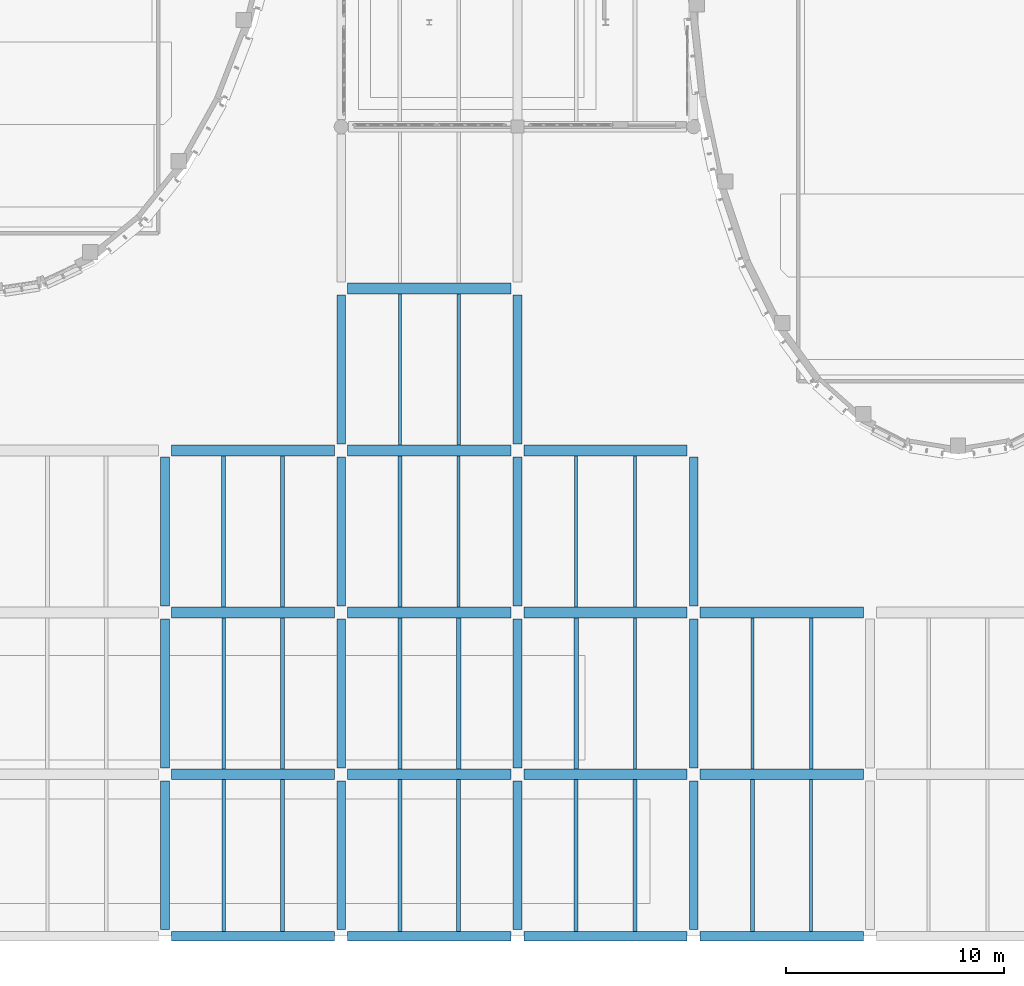
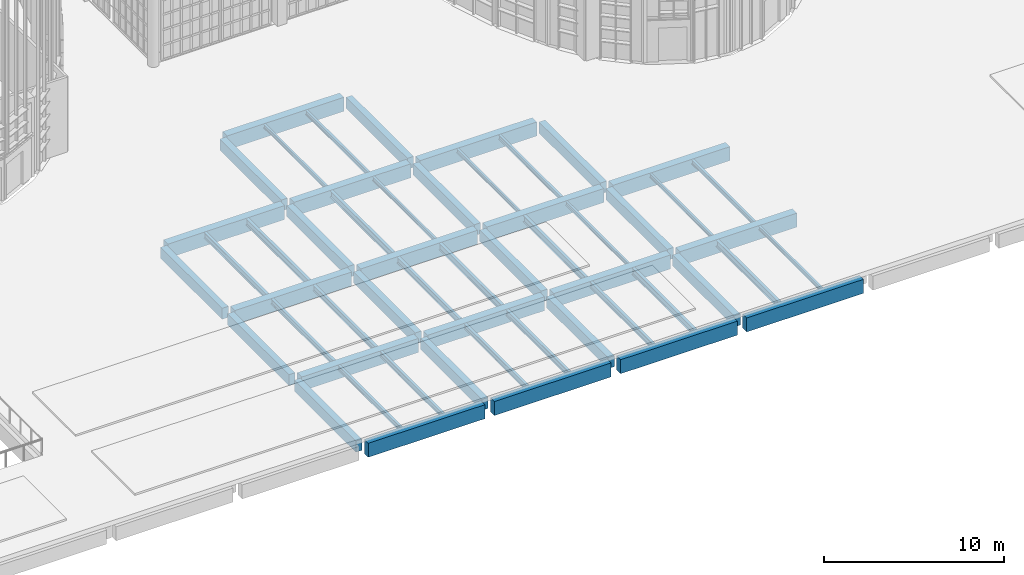
# One storey, part 152 of 372: 54 beams.
"""IFC4 building model written with IfcOpenShell, lengths in metres."""

from ifc_helpers import new_model, si_unit, direction, frame, origin, origin_2d, place, context, subcontext, project, spatial, rectangle, i_section, extrude, material, material_profile, profile_set, type_object, element, save


model = new_model("IFC4")

# Units and contexts
model_context = context("Model", 3, precision=1e-05, world=origin(), true_north=direction((0.0, 1.0)))
body_context = subcontext(model_context, "Body", "Model", "MODEL_VIEW")
ifc_project = project(units=[si_unit("LENGTHUNIT", "METRE"), si_unit("AREAUNIT", "SQUARE_METRE"), si_unit("VOLUMEUNIT", "CUBIC_METRE"), si_unit("PLANEANGLEUNIT", "RADIAN"), si_unit("MASSUNIT", "GRAM", prefix="KILO")], contexts=[model_context])

# Site, building, storey
site_placement = place(None, origin())
site = spatial("IfcSite", under=ifc_project, at=site_placement, CompositionType="ELEMENT")
building_placement = place(site_placement, origin())
building = spatial("IfcBuilding", under=site, at=building_placement, Name="Kaelora Sail Theatre", CompositionType="ELEMENT")
storey_placement = place(building_placement, origin())
storey = spatial("IfcBuildingStorey", under=building, at=storey_placement, Name="L00", CompositionType="ELEMENT", Elevation=0.0)

# Beams
ifc_material_1 = material(Name="Steel S355", Category="steel")
ifc_material_profile_1 = material_profile(ifc_material_1, i_section(OverallWidth=0.18994140625, OverallDepth=0.449951171875, WebThickness=0.009521484375, FlangeThickness=0.0146484375, FilletRadius=0.02099609375, at=origin_2d()), Name="IPE 450")
ifc_profile_set_1 = profile_set([ifc_material_profile_1], Name="Steel S355")
beam_type_1 = type_object("IfcBeamType", Name="STR-BM-BM-IPE450", PredefinedType="BEAM", material=ifc_profile_set_1)
beam_1_placement = place(storey_placement, frame((104.10009765625, 16.6298828125, -0.544921875), z_axis=(0.0, 1.0, 0.0), x_axis=(-1.0, 0.0, 0.0)))
element("IfcBeam", 1, at=beam_1_placement, inside=storey, type_object=beam_type_1, Name="Secondary floor joist 13/C-2 (L00)", PredefinedType="BEAM", context=body_context, shape_type="SweptSolid", body=[
    extrude(i_section(OverallWidth=0.18994140625, OverallDepth=0.449951171875, WebThickness=0.009521484375, FlangeThickness=0.0146484375, FilletRadius=0.02099609375, at=origin_2d()), origin(), (0.0, 0.0, 1.0), 6.940185546875),
])
beam_2_placement = place(storey_placement, frame((112.199951171875, 9.18994140625, -0.544921875), z_axis=(0.0, 1.0, 0.0), x_axis=(-1.0, 0.0, 0.0)))
element("IfcBeam", 2, at=beam_2_placement, inside=storey, type_object=beam_type_1, Name="Secondary floor joist 14/B-2 (L00)", PredefinedType="BEAM", context=body_context, shape_type="SweptSolid", body=[
    extrude(i_section(OverallWidth=0.18994140625, OverallDepth=0.449951171875, WebThickness=0.009521484375, FlangeThickness=0.0146484375, FilletRadius=0.02099609375, at=origin_2d()), origin(), (0.0, 0.0, 1.0), 6.93994140625),
])
beam_3_placement = place(storey_placement, frame((109.5, 16.6298828125, -0.544921875), z_axis=(0.0, 1.0, 0.0), x_axis=(-1.0, 0.0, 0.0)))
element("IfcBeam", 3, at=beam_3_placement, inside=storey, type_object=beam_type_1, Name="Secondary floor joist 14/C-1 (L00)", PredefinedType="BEAM", context=body_context, shape_type="SweptSolid", body=[
    extrude(i_section(OverallWidth=0.18994140625, OverallDepth=0.449951171875, WebThickness=0.009521484375, FlangeThickness=0.0146484375, FilletRadius=0.02099609375, at=origin_2d()), origin(), (0.0, 0.0, 1.0), 6.940185546875),
])
beam_4_placement = place(storey_placement, frame((120.300048828125, 1.72509765625, -0.544921875), z_axis=(0.0, 1.0, 0.0), x_axis=(-1.0, 0.0, 0.0)))
element("IfcBeam", 4, at=beam_4_placement, inside=storey, type_object=beam_type_1, Name="Secondary floor joist 15/A-2 (L00)", PredefinedType="BEAM", context=body_context, shape_type="SweptSolid", body=[
    extrude(i_section(OverallWidth=0.18994140625, OverallDepth=0.449951171875, WebThickness=0.009521484375, FlangeThickness=0.0146484375, FilletRadius=0.02099609375, at=origin_2d()), origin(), (0.0, 0.0, 1.0), 6.96484375),
])
beam_5_placement = place(storey_placement, frame((117.60009765625, 9.18994140625, -0.544921875), z_axis=(0.0, 1.0, 0.0), x_axis=(-1.0, 0.0, 0.0)))
element("IfcBeam", 5, at=beam_5_placement, inside=storey, type_object=beam_type_1, Name="Secondary floor joist 15/B-1 (L00)", PredefinedType="BEAM", context=body_context, shape_type="SweptSolid", body=[
    extrude(i_section(OverallWidth=0.18994140625, OverallDepth=0.449951171875, WebThickness=0.009521484375, FlangeThickness=0.0146484375, FilletRadius=0.02099609375, at=origin_2d()), origin(), (0.0, 0.0, 1.0), 6.93994140625),
])
beam_6_placement = place(storey_placement, frame((125.699951171875, 1.72509765625, -0.544921875), z_axis=(0.0, 1.0, 0.0), x_axis=(-1.0, 0.0, 0.0)))
element("IfcBeam", 6, at=beam_6_placement, inside=storey, type_object=beam_type_1, Name="Secondary floor joist 16/A-1 (L00)", PredefinedType="BEAM", context=body_context, shape_type="SweptSolid", body=[
    extrude(i_section(OverallWidth=0.18994140625, OverallDepth=0.449951171875, WebThickness=0.009521484375, FlangeThickness=0.0146484375, FilletRadius=0.02099609375, at=origin_2d()), origin(), (0.0, 0.0, 1.0), 6.96484375),
])
ifc_material_2 = material(Name="Concrete C40/50", Category="concrete")
ifc_material_profile_2 = material_profile(ifc_material_2, rectangle(XDim=0.39990234375, YDim=0.75, at=origin_2d()), Name="RC-BM 400x750")
ifc_profile_set_2 = profile_set([ifc_material_profile_2], Name="Concrete C40/50")
beam_type_2 = type_object("IfcBeamType", Name="STR-BM-BM-RC4075", PredefinedType="BEAM", material=ifc_profile_set_2)
beam_7_placement = place(storey_placement, frame((98.699951171875, 1.800048828125, -0.695068359375), z_axis=(0.0, 1.0, 0.0), x_axis=(-1.0, 0.0, 0.0)))
element("IfcBeam", 7, at=beam_7_placement, inside=storey, type_object=beam_type_2, Name="Primary beam 13 A-B (L00)", PredefinedType="BEAM", context=body_context, shape_type="SweptSolid", body=[
    extrude(rectangle(XDim=0.39990234375, YDim=0.75, at=origin_2d()), origin(), (0.0, 0.0, 1.0), 6.83984375),
])
for number, where, z_axis, x_axis, name in (
    (8, (98.699951171875, 9.239990234375, -0.695068359375), (0.0, 1.0, 0.0), (-1.0, 0.0, 0.0), "Primary beam 13 B-C (L00)"),
    (9, (98.699951171875, 16.679931640625, -0.695068359375), (0.0, 1.0, 0.0), (-1.0, 0.0, 0.0), "Primary beam 13 C-D (L00)"),
):
    element("IfcBeam", number, at=place(storey_placement, frame(where, z_axis=z_axis, x_axis=x_axis)), inside=storey, type_object=beam_type_2, Name=name, PredefinedType="BEAM", context=body_context, shape_type="SweptSolid", body=[
        extrude(rectangle(XDim=0.39990234375, YDim=0.75, at=origin_2d()), origin(), (0.0, 0.0, 1.0), 6.840087890625),
    ])
beam_8_placement = place(storey_placement, frame((106.800048828125, 1.800048828125, -0.695068359375), z_axis=(0.0, 1.0, 0.0), x_axis=(-1.0, 0.0, 0.0)))
element("IfcBeam", 10, at=beam_8_placement, inside=storey, type_object=beam_type_2, Name="Primary beam 14 A-B (L00)", PredefinedType="BEAM", context=body_context, shape_type="SweptSolid", body=[
    extrude(rectangle(XDim=0.39990234375, YDim=0.75, at=origin_2d()), origin(), (0.0, 0.0, 1.0), 6.83984375),
])
for number, where, z_axis, x_axis, name in (
    (11, (106.800048828125, 9.239990234375, -0.695068359375), (0.0, 1.0, 0.0), (-1.0, 0.0, 0.0), "Primary beam 14 B-C (L00)"),
    (12, (106.800048828125, 16.679931640625, -0.695068359375), (0.0, 1.0, 0.0), (-1.0, 0.0, 0.0), "Primary beam 14 C-D (L00)"),
):
    element("IfcBeam", number, at=place(storey_placement, frame(where, z_axis=z_axis, x_axis=x_axis)), inside=storey, type_object=beam_type_2, Name=name, PredefinedType="BEAM", context=body_context, shape_type="SweptSolid", body=[
        extrude(rectangle(XDim=0.39990234375, YDim=0.75, at=origin_2d()), origin(), (0.0, 0.0, 1.0), 6.840087890625),
    ])
for number, where, z_axis, x_axis, name in (
    (13, (106.800048828125, 24.1201171875, -0.695068359375), (0.0, 1.0, 0.0), (-1.0, 0.0, 0.0), "Primary beam 14 D-E (L00)"),
    (14, (114.89990234375, 1.800048828125, -0.695068359375), (0.0, 1.0, 0.0), (-1.0, 0.0, 0.0), "Primary beam 15 A-B (L00)"),
):
    element("IfcBeam", number, at=place(storey_placement, frame(where, z_axis=z_axis, x_axis=x_axis)), inside=storey, type_object=beam_type_2, Name=name, PredefinedType="BEAM", context=body_context, shape_type="SweptSolid", body=[
        extrude(rectangle(XDim=0.39990234375, YDim=0.75, at=origin_2d()), origin(), (0.0, 0.0, 1.0), 6.83984375),
    ])
for number, where, z_axis, x_axis, name in (
    (15, (114.89990234375, 9.239990234375, -0.695068359375), (0.0, 1.0, 0.0), (-1.0, 0.0, 0.0), "Primary beam 15 B-C (L00)"),
    (16, (114.89990234375, 16.679931640625, -0.695068359375), (0.0, 1.0, 0.0), (-1.0, 0.0, 0.0), "Primary beam 15 C-D (L00)"),
):
    element("IfcBeam", number, at=place(storey_placement, frame(where, z_axis=z_axis, x_axis=x_axis)), inside=storey, type_object=beam_type_2, Name=name, PredefinedType="BEAM", context=body_context, shape_type="SweptSolid", body=[
        extrude(rectangle(XDim=0.39990234375, YDim=0.75, at=origin_2d()), origin(), (0.0, 0.0, 1.0), 6.840087890625),
    ])
for number, where, z_axis, x_axis, name in (
    (17, (114.89990234375, 24.1201171875, -0.695068359375), (0.0, 1.0, 0.0), (-1.0, 0.0, 0.0), "Primary beam 15 D-E (L00)"),
    (18, (123.0, 1.800048828125, -0.695068359375), (0.0, 1.0, 0.0), (-1.0, 0.0, 0.0), "Primary beam 16 A-B (L00)"),
):
    element("IfcBeam", number, at=place(storey_placement, frame(where, z_axis=z_axis, x_axis=x_axis)), inside=storey, type_object=beam_type_2, Name=name, PredefinedType="BEAM", context=body_context, shape_type="SweptSolid", body=[
        extrude(rectangle(XDim=0.39990234375, YDim=0.75, at=origin_2d()), origin(), (0.0, 0.0, 1.0), 6.83984375),
    ])
for number, where, z_axis, x_axis, name in (
    (19, (123.0, 9.239990234375, -0.695068359375), (0.0, 1.0, 0.0), (-1.0, 0.0, 0.0), "Primary beam 16 B-C (L00)"),
    (20, (123.0, 16.679931640625, -0.695068359375), (0.0, 1.0, 0.0), (-1.0, 0.0, 0.0), "Primary beam 16 C-D (L00)"),
):
    element("IfcBeam", number, at=place(storey_placement, frame(where, z_axis=z_axis, x_axis=x_axis)), inside=storey, type_object=beam_type_2, Name=name, PredefinedType="BEAM", context=body_context, shape_type="SweptSolid", body=[
        extrude(rectangle(XDim=0.39990234375, YDim=0.75, at=origin_2d()), origin(), (0.0, 0.0, 1.0), 6.840087890625),
    ])
ifc_material_3 = material(Name="Concrete C45/55", Category="concrete")
ifc_material_profile_3 = material_profile(ifc_material_3, rectangle(XDim=0.5, YDim=0.949951171875, at=origin_2d()), Name="RC-GRD 500x950")
ifc_profile_set_3 = profile_set([ifc_material_profile_3], Name="Concrete C45/55")
beam_type_3 = type_object("IfcBeamType", Name="STR-BM-GR-RC5095", PredefinedType="T_BEAM", material=ifc_profile_set_3)
for number, where, z_axis, x_axis, name in (
    (21, (99.0, 8.93994140625, -0.794921875), (1.0, 0.0, 0.0), (0.0, 1.0, 0.0), "Primary beam B 13-14 (L00)"),
    (22, (99.0, 16.3798828125, -0.794921875), (1.0, 0.0, 0.0), (0.0, 1.0, 0.0), "Primary beam C 13-14 (L00)"),
    (23, (99.0, 23.820068359375, -0.794921875), (1.0, 0.0, 0.0), (0.0, 1.0, 0.0), "Primary beam D 13-14 (L00)"),
    (24, (107.10009765625, 8.93994140625, -0.794921875), (1.0, 0.0, 0.0), (0.0, 1.0, 0.0), "Primary beam B 14-15 (L00)"),
    (25, (107.10009765625, 16.3798828125, -0.794921875), (1.0, 0.0, 0.0), (0.0, 1.0, 0.0), "Primary beam C 14-15 (L00)"),
    (26, (107.10009765625, 23.820068359375, -0.794921875), (1.0, 0.0, 0.0), (0.0, 1.0, 0.0), "Primary beam D 14-15 (L00)"),
    (27, (107.10009765625, 31.260009765625, -0.794921875), (1.0, 0.0, 0.0), (0.0, 1.0, 0.0), "Primary beam E 14-15 (L00)"),
    (28, (115.199951171875, 8.93994140625, -0.794921875), (1.0, 0.0, 0.0), (0.0, 1.0, 0.0), "Primary beam B 15-16 (L00)"),
    (29, (115.199951171875, 16.3798828125, -0.794921875), (1.0, 0.0, 0.0), (0.0, 1.0, 0.0), "Primary beam C 15-16 (L00)"),
    (30, (115.199951171875, 23.820068359375, -0.794921875), (1.0, 0.0, 0.0), (0.0, 1.0, 0.0), "Primary beam D 15-16 (L00)"),
    (31, (123.300048828125, 8.93994140625, -0.794921875), (1.0, 0.0, 0.0), (0.0, 1.0, 0.0), "Primary beam B 16-17 (L00)"),
    (32, (123.300048828125, 16.3798828125, -0.794921875), (1.0, 0.0, 0.0), (0.0, 1.0, 0.0), "Primary beam C 16-17 (L00)"),
):
    element("IfcBeam", number, at=place(storey_placement, frame(where, z_axis=z_axis, x_axis=x_axis)), inside=storey, type_object=beam_type_3, Name=name, PredefinedType="T_BEAM", context=body_context, shape_type="SweptSolid", body=[
        extrude(rectangle(XDim=0.5, YDim=0.949951171875, at=origin_2d()), origin(), (0.0, 0.0, 1.0), 7.5),
    ])
ifc_material_4 = material(Name="Steel S355", Category="steel")
ifc_material_profile_4 = material_profile(ifc_material_4, i_section(OverallWidth=0.135009765625, OverallDepth=0.27001953125, WebThickness=0.006591796875, FlangeThickness=0.01025390625, FilletRadius=0.014892578125, at=origin_2d()), Name="IPE 270")
ifc_profile_set_4 = profile_set([ifc_material_profile_4], Name="Steel S355")
beam_type_4 = type_object("IfcBeamType", Name="STR-BM-JS-IPE270", PredefinedType="JOIST", material=ifc_profile_set_4)
beam_9_placement = place(storey_placement, frame((112.199951171875, 16.6298828125, -0.455078125), z_axis=(0.0, 1.0, 0.0), x_axis=(-1.0, 0.0, 0.0)))
element("IfcBeam", 33, at=beam_9_placement, inside=storey, type_object=beam_type_4, Name="Secondary floor joist 14/C-2 (L00)", PredefinedType="JOIST", context=body_context, shape_type="SweptSolid", body=[
    extrude(i_section(OverallWidth=0.135009765625, OverallDepth=0.27001953125, WebThickness=0.006591796875, FlangeThickness=0.01025390625, FilletRadius=0.014892578125, at=origin_2d()), origin(), (0.0, 0.0, 1.0), 6.940185546875),
])
for number, where, z_axis, x_axis, name in (
    (34, (109.5, 24.070068359375, -0.455078125), (0.0, 1.0, 0.0), (-1.0, 0.0, 0.0), "Secondary floor joist 14/D-1 (L00)"),
    (35, (120.300048828125, 9.18994140625, -0.455078125), (0.0, 1.0, 0.0), (-1.0, 0.0, 0.0), "Secondary floor joist 15/B-2 (L00)"),
):
    element("IfcBeam", number, at=place(storey_placement, frame(where, z_axis=z_axis, x_axis=x_axis)), inside=storey, type_object=beam_type_4, Name=name, PredefinedType="JOIST", context=body_context, shape_type="SweptSolid", body=[
        extrude(i_section(OverallWidth=0.135009765625, OverallDepth=0.27001953125, WebThickness=0.006591796875, FlangeThickness=0.01025390625, FilletRadius=0.014892578125, at=origin_2d()), origin(), (0.0, 0.0, 1.0), 6.93994140625),
    ])
beam_10_placement = place(storey_placement, frame((117.60009765625, 16.6298828125, -0.455078125), z_axis=(0.0, 1.0, 0.0), x_axis=(-1.0, 0.0, 0.0)))
element("IfcBeam", 36, at=beam_10_placement, inside=storey, type_object=beam_type_4, Name="Secondary floor joist 15/C-1 (L00)", PredefinedType="JOIST", context=body_context, shape_type="SweptSolid", body=[
    extrude(i_section(OverallWidth=0.135009765625, OverallDepth=0.27001953125, WebThickness=0.006591796875, FlangeThickness=0.01025390625, FilletRadius=0.014892578125, at=origin_2d()), origin(), (0.0, 0.0, 1.0), 6.940185546875),
])
beam_11_placement = place(storey_placement, frame((128.39990234375, 1.72509765625, -0.455078125), z_axis=(0.0, 1.0, 0.0), x_axis=(-1.0, 0.0, 0.0)))
element("IfcBeam", 37, at=beam_11_placement, inside=storey, type_object=beam_type_4, Name="Secondary floor joist 16/A-2 (L00)", PredefinedType="JOIST", context=body_context, shape_type="SweptSolid", body=[
    extrude(i_section(OverallWidth=0.135009765625, OverallDepth=0.27001953125, WebThickness=0.006591796875, FlangeThickness=0.01025390625, FilletRadius=0.014892578125, at=origin_2d()), origin(), (0.0, 0.0, 1.0), 6.96484375),
])
beam_12_placement = place(storey_placement, frame((125.699951171875, 9.18994140625, -0.455078125), z_axis=(0.0, 1.0, 0.0), x_axis=(-1.0, 0.0, 0.0)))
element("IfcBeam", 38, at=beam_12_placement, inside=storey, type_object=beam_type_4, Name="Secondary floor joist 16/B-1 (L00)", PredefinedType="JOIST", context=body_context, shape_type="SweptSolid", body=[
    extrude(i_section(OverallWidth=0.135009765625, OverallDepth=0.27001953125, WebThickness=0.006591796875, FlangeThickness=0.01025390625, FilletRadius=0.014892578125, at=origin_2d()), origin(), (0.0, 0.0, 1.0), 6.93994140625),
])
ifc_material_5 = material(Name="Steel S355", Category="steel")
ifc_material_profile_5 = material_profile(ifc_material_5, i_section(OverallWidth=0.14990234375, OverallDepth=0.300048828125, WebThickness=0.007080078125, FlangeThickness=0.0107421875, FilletRadius=0.014892578125, at=origin_2d()), Name="IPE 300")
ifc_profile_set_5 = profile_set([ifc_material_profile_5], Name="Steel S355")
beam_type_5 = type_object("IfcBeamType", Name="STR-BM-JS-IPE300", PredefinedType="JOIST", material=ifc_profile_set_5)
beam_13_placement = place(storey_placement, frame((112.199951171875, 24.070068359375, -0.469970703125), z_axis=(0.0, 1.0, 0.0), x_axis=(-1.0, 0.0, 0.0)))
element("IfcBeam", 39, at=beam_13_placement, inside=storey, type_object=beam_type_5, Name="Secondary floor joist 14/D-2 (L00)", PredefinedType="JOIST", context=body_context, shape_type="SweptSolid", body=[
    extrude(i_section(OverallWidth=0.14990234375, OverallDepth=0.300048828125, WebThickness=0.007080078125, FlangeThickness=0.0107421875, FilletRadius=0.014892578125, at=origin_2d()), origin(), (0.0, 0.0, 1.0), 6.93994140625),
])
beam_14_placement = place(storey_placement, frame((120.300048828125, 16.6298828125, -0.469970703125), z_axis=(0.0, 1.0, 0.0), x_axis=(-1.0, 0.0, 0.0)))
element("IfcBeam", 40, at=beam_14_placement, inside=storey, type_object=beam_type_5, Name="Secondary floor joist 15/C-2 (L00)", PredefinedType="JOIST", context=body_context, shape_type="SweptSolid", body=[
    extrude(i_section(OverallWidth=0.14990234375, OverallDepth=0.300048828125, WebThickness=0.007080078125, FlangeThickness=0.0107421875, FilletRadius=0.014892578125, at=origin_2d()), origin(), (0.0, 0.0, 1.0), 6.940185546875),
])
beam_15_placement = place(storey_placement, frame((128.39990234375, 9.18994140625, -0.469970703125), z_axis=(0.0, 1.0, 0.0), x_axis=(-1.0, 0.0, 0.0)))
element("IfcBeam", 41, at=beam_15_placement, inside=storey, type_object=beam_type_5, Name="Secondary floor joist 16/B-2 (L00)", PredefinedType="JOIST", context=body_context, shape_type="SweptSolid", body=[
    extrude(i_section(OverallWidth=0.14990234375, OverallDepth=0.300048828125, WebThickness=0.007080078125, FlangeThickness=0.0107421875, FilletRadius=0.014892578125, at=origin_2d()), origin(), (0.0, 0.0, 1.0), 6.93994140625),
])
ifc_material_6 = material(Name="Steel S355", Category="steel")
ifc_material_profile_6 = material_profile(ifc_material_6, i_section(OverallWidth=0.159912109375, OverallDepth=0.330078125, WebThickness=0.007568359375, FlangeThickness=0.011474609375, FilletRadius=0.01806640625, at=origin_2d()), Name="IPE 330")
ifc_profile_set_6 = profile_set([ifc_material_profile_6], Name="Steel S355")
beam_type_6 = type_object("IfcBeamType", Name="STR-BM-JS-IPE330", PredefinedType="JOIST", material=ifc_profile_set_6)
beam_16_placement = place(storey_placement, frame((101.39990234375, 1.72509765625, -0.485107421875), z_axis=(0.0, 1.0, 0.0), x_axis=(-1.0, 0.0, 0.0)))
element("IfcBeam", 42, at=beam_16_placement, inside=storey, type_object=beam_type_6, Name="Secondary floor joist 13/A-1 (L00)", PredefinedType="JOIST", context=body_context, shape_type="SweptSolid", body=[
    extrude(i_section(OverallWidth=0.159912109375, OverallDepth=0.330078125, WebThickness=0.007568359375, FlangeThickness=0.011474609375, FilletRadius=0.01806640625, at=origin_2d()), origin(), (0.0, 0.0, 1.0), 6.96484375),
])
ifc_material_7 = material(Name="Steel S355", Category="steel")
ifc_material_profile_7 = material_profile(ifc_material_7, i_section(OverallWidth=0.169921875, OverallDepth=0.360107421875, WebThickness=0.008056640625, FlangeThickness=0.0126953125, FilletRadius=0.01806640625, at=origin_2d()), Name="IPE 360")
ifc_profile_set_7 = profile_set([ifc_material_profile_7], Name="Steel S355")
beam_type_7 = type_object("IfcBeamType", Name="STR-BM-JS-IPE360", PredefinedType="JOIST", material=ifc_profile_set_7)
beam_17_placement = place(storey_placement, frame((104.10009765625, 1.72509765625, -0.5), z_axis=(0.0, 1.0, 0.0), x_axis=(-1.0, 0.0, 0.0)))
element("IfcBeam", 43, at=beam_17_placement, inside=storey, type_object=beam_type_7, Name="Secondary floor joist 13/A-2 (L00)", PredefinedType="JOIST", context=body_context, shape_type="SweptSolid", body=[
    extrude(i_section(OverallWidth=0.169921875, OverallDepth=0.360107421875, WebThickness=0.008056640625, FlangeThickness=0.0126953125, FilletRadius=0.01806640625, at=origin_2d()), origin(), (0.0, 0.0, 1.0), 6.96484375),
])
beam_18_placement = place(storey_placement, frame((101.39990234375, 9.18994140625, -0.5), z_axis=(0.0, 1.0, 0.0), x_axis=(-1.0, 0.0, 0.0)))
element("IfcBeam", 44, at=beam_18_placement, inside=storey, type_object=beam_type_7, Name="Secondary floor joist 13/B-1 (L00)", PredefinedType="JOIST", context=body_context, shape_type="SweptSolid", body=[
    extrude(i_section(OverallWidth=0.169921875, OverallDepth=0.360107421875, WebThickness=0.008056640625, FlangeThickness=0.0126953125, FilletRadius=0.01806640625, at=origin_2d()), origin(), (0.0, 0.0, 1.0), 6.93994140625),
])
beam_19_placement = place(storey_placement, frame((109.5, 1.72509765625, -0.5), z_axis=(0.0, 1.0, 0.0), x_axis=(-1.0, 0.0, 0.0)))
element("IfcBeam", 45, at=beam_19_placement, inside=storey, type_object=beam_type_7, Name="Secondary floor joist 14/A-1 (L00)", PredefinedType="JOIST", context=body_context, shape_type="SweptSolid", body=[
    extrude(i_section(OverallWidth=0.169921875, OverallDepth=0.360107421875, WebThickness=0.008056640625, FlangeThickness=0.0126953125, FilletRadius=0.01806640625, at=origin_2d()), origin(), (0.0, 0.0, 1.0), 6.96484375),
])
ifc_material_8 = material(Name="Steel S355", Category="steel")
ifc_material_profile_8 = material_profile(ifc_material_8, i_section(OverallWidth=0.179931640625, OverallDepth=0.39990234375, WebThickness=0.008544921875, FlangeThickness=0.013427734375, FilletRadius=0.02099609375, at=origin_2d()), Name="IPE 400")
ifc_profile_set_8 = profile_set([ifc_material_profile_8], Name="Steel S355")
beam_type_8 = type_object("IfcBeamType", Name="STR-BM-JS-IPE400", PredefinedType="JOIST", material=ifc_profile_set_8)
beam_20_placement = place(storey_placement, frame((104.10009765625, 9.18994140625, -0.52001953125), z_axis=(0.0, 1.0, 0.0), x_axis=(-1.0, 0.0, 0.0)))
element("IfcBeam", 46, at=beam_20_placement, inside=storey, type_object=beam_type_8, Name="Secondary floor joist 13/B-2 (L00)", PredefinedType="JOIST", context=body_context, shape_type="SweptSolid", body=[
    extrude(i_section(OverallWidth=0.179931640625, OverallDepth=0.39990234375, WebThickness=0.008544921875, FlangeThickness=0.013427734375, FilletRadius=0.02099609375, at=origin_2d()), origin(), (0.0, 0.0, 1.0), 6.93994140625),
])
beam_21_placement = place(storey_placement, frame((101.39990234375, 16.6298828125, -0.52001953125), z_axis=(0.0, 1.0, 0.0), x_axis=(-1.0, 0.0, 0.0)))
element("IfcBeam", 47, at=beam_21_placement, inside=storey, type_object=beam_type_8, Name="Secondary floor joist 13/C-1 (L00)", PredefinedType="JOIST", context=body_context, shape_type="SweptSolid", body=[
    extrude(i_section(OverallWidth=0.179931640625, OverallDepth=0.39990234375, WebThickness=0.008544921875, FlangeThickness=0.013427734375, FilletRadius=0.02099609375, at=origin_2d()), origin(), (0.0, 0.0, 1.0), 6.940185546875),
])
beam_22_placement = place(storey_placement, frame((112.199951171875, 1.72509765625, -0.52001953125), z_axis=(0.0, 1.0, 0.0), x_axis=(-1.0, 0.0, 0.0)))
element("IfcBeam", 48, at=beam_22_placement, inside=storey, type_object=beam_type_8, Name="Secondary floor joist 14/A-2 (L00)", PredefinedType="JOIST", context=body_context, shape_type="SweptSolid", body=[
    extrude(i_section(OverallWidth=0.179931640625, OverallDepth=0.39990234375, WebThickness=0.008544921875, FlangeThickness=0.013427734375, FilletRadius=0.02099609375, at=origin_2d()), origin(), (0.0, 0.0, 1.0), 6.96484375),
])
beam_23_placement = place(storey_placement, frame((109.5, 9.18994140625, -0.52001953125), z_axis=(0.0, 1.0, 0.0), x_axis=(-1.0, 0.0, 0.0)))
element("IfcBeam", 49, at=beam_23_placement, inside=storey, type_object=beam_type_8, Name="Secondary floor joist 14/B-1 (L00)", PredefinedType="JOIST", context=body_context, shape_type="SweptSolid", body=[
    extrude(i_section(OverallWidth=0.179931640625, OverallDepth=0.39990234375, WebThickness=0.008544921875, FlangeThickness=0.013427734375, FilletRadius=0.02099609375, at=origin_2d()), origin(), (0.0, 0.0, 1.0), 6.93994140625),
])
beam_24_placement = place(storey_placement, frame((117.60009765625, 1.72509765625, -0.52001953125), z_axis=(0.0, 1.0, 0.0), x_axis=(-1.0, 0.0, 0.0)))
element("IfcBeam", 50, at=beam_24_placement, inside=storey, type_object=beam_type_8, Name="Secondary floor joist 15/A-1 (L00)", PredefinedType="JOIST", context=body_context, shape_type="SweptSolid", body=[
    extrude(i_section(OverallWidth=0.179931640625, OverallDepth=0.39990234375, WebThickness=0.008544921875, FlangeThickness=0.013427734375, FilletRadius=0.02099609375, at=origin_2d()), origin(), (0.0, 0.0, 1.0), 6.96484375),
])
ifc_material_9 = material(Name="Concrete C45/55", Category="concrete")
ifc_material_profile_9 = material_profile(ifc_material_9, rectangle(XDim=0.449951171875, YDim=0.949951171875, at=origin_2d()), Name="RC-SPN 450x950")
ifc_profile_set_9 = profile_set([ifc_material_profile_9], Name="Concrete C45/55")
beam_type_9 = type_object("IfcBeamType", Name="STR-BM-SP-RC4595", PredefinedType="SPANDREL", material=ifc_profile_set_9)
for number, where, z_axis, x_axis, name in (
    (51, (99.0, 1.5, -0.794921875), (1.0, 0.0, 0.0), (0.0, 1.0, 0.0), "Primary beam A 13-14 (L00)"),
    (52, (107.10009765625, 1.5, -0.794921875), (1.0, 0.0, 0.0), (0.0, 1.0, 0.0), "Primary beam A 14-15 (L00)"),
    (53, (115.199951171875, 1.5, -0.794921875), (1.0, 0.0, 0.0), (0.0, 1.0, 0.0), "Primary beam A 15-16 (L00)"),
    (54, (123.300048828125, 1.5, -0.794921875), (1.0, 0.0, 0.0), (0.0, 1.0, 0.0), "Primary beam A 16-17 (L00)"),
):
    element("IfcBeam", number, at=place(storey_placement, frame(where, z_axis=z_axis, x_axis=x_axis)), inside=storey, type_object=beam_type_9, Name=name, PredefinedType="SPANDREL", context=body_context, shape_type="SweptSolid", body=[
        extrude(rectangle(XDim=0.449951171875, YDim=0.949951171875, at=origin_2d()), origin(), (0.0, 0.0, 1.0), 7.5),
    ])

save(model, "model.ifc")
